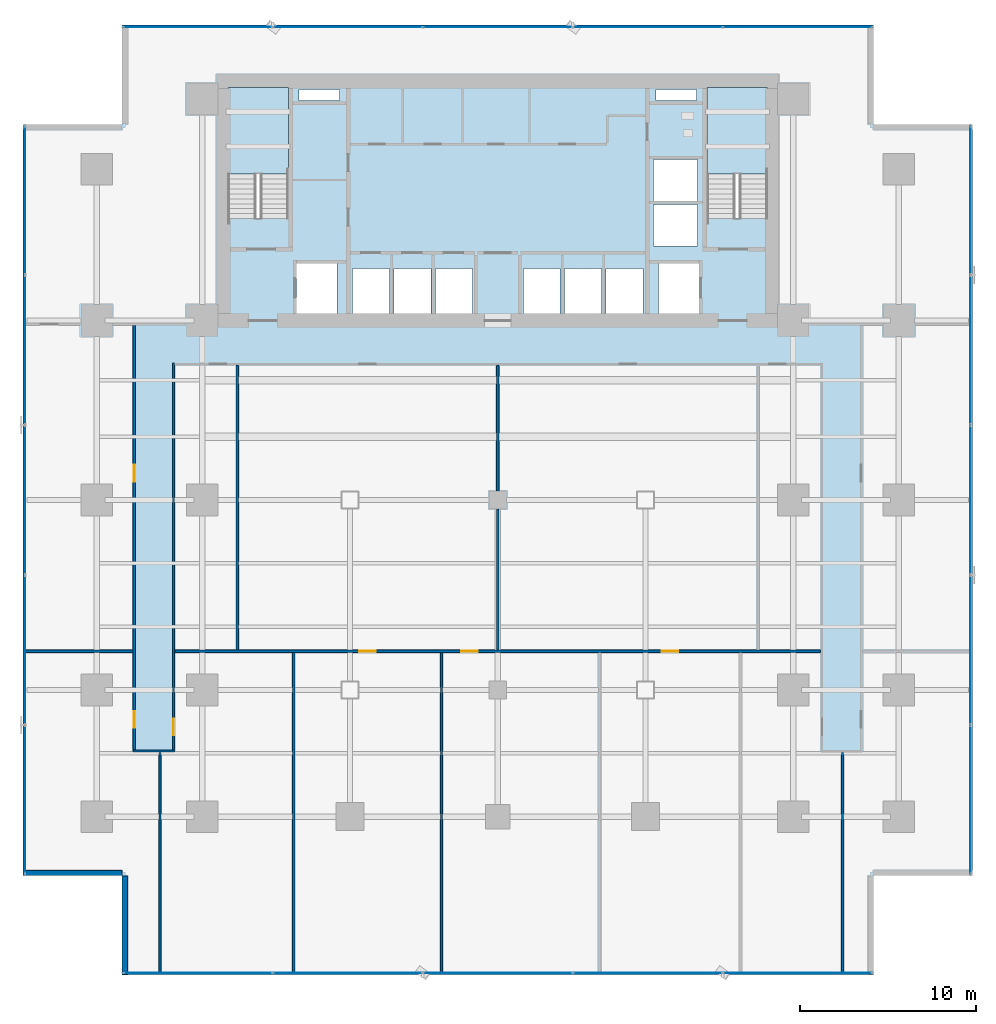
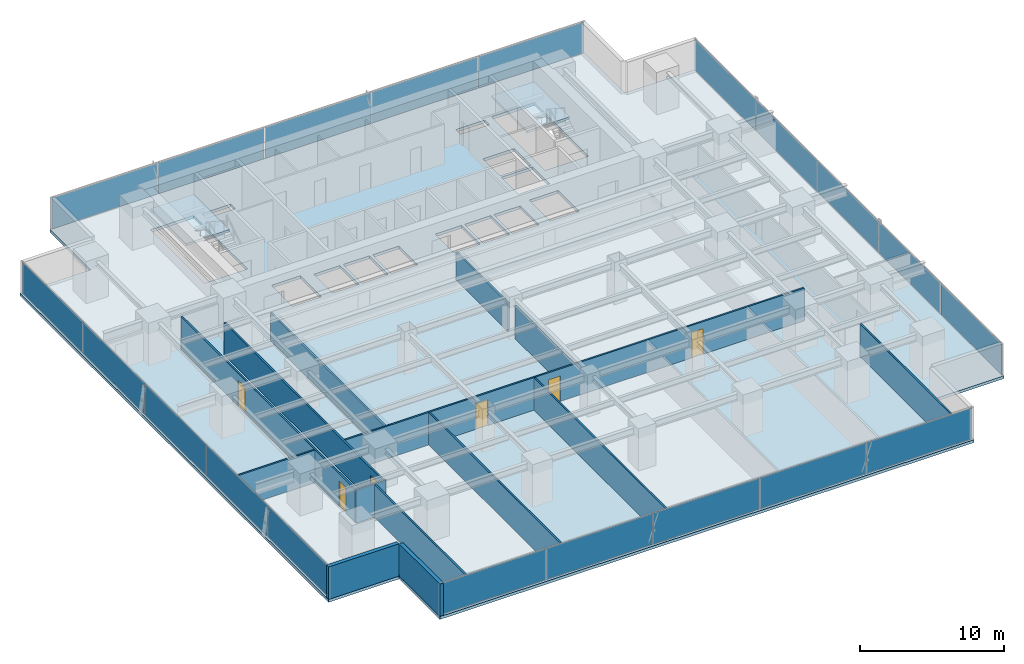
# One storey, part 24 of 34: 20 plates, 14 walls, 6 doors, 3 slabs, 6 openings, 6 elements without a shape of their own.
"""IFC4 building model written with IfcOpenShell, lengths in metres."""

from ifc_helpers import new_model, si_unit, direction, frame, frame_2d, origin, origin_2d, place, context, subcontext, project, spatial, polyline, rectangle, outline, extrude, source, transform, mapped, material, layer, layer_set, type_object, element, fill, aggregate, save


model = new_model("IFC4")

# Units and contexts
model_context = context("Model", 3, precision=1e-05, world=origin(), true_north=direction((0.0, 1.0)))
body_context = subcontext(model_context, "Body", "Model", "MODEL_VIEW")
ifc_project = project(units=[si_unit("LENGTHUNIT", "METRE"), si_unit("AREAUNIT", "SQUARE_METRE"), si_unit("VOLUMEUNIT", "CUBIC_METRE"), si_unit("PLANEANGLEUNIT", "RADIAN"), si_unit("MASSUNIT", "GRAM", prefix="KILO")], contexts=[model_context])

# Site, building, storey
site_placement = place(None, origin())
site = spatial("IfcSite", under=ifc_project, at=site_placement, CompositionType="ELEMENT")
building_placement = place(site_placement, origin())
building = spatial("IfcBuilding", under=site, at=building_placement, Name="Sumidabori Civic Tower", CompositionType="ELEMENT")
storey_placement = place(building_placement, frame((0.0, 0.0, 41.60009765625)))
storey = spatial("IfcBuildingStorey", under=building, at=storey_placement, Name="L10", CompositionType="ELEMENT", Elevation=41.60009765625)

# Stair, slab
ifc_material_1 = material(Name="Concrete C40/50", Category="concrete")
stair_type = type_object("IfcStairType", Name="ST-CORE-1600", PredefinedType="HALF_TURN_STAIR", material=ifc_material_1)
stair_1_placement = place(storey_placement, origin())
stair_1 = element("IfcStair", 1, at=stair_1_placement, inside=storey, type_object=stair_type, Name="L10 ST-1", PredefinedType="HALF_TURN_STAIR")
ifc_layer_1 = layer(ifc_material_1, 0.199951171875, Name="Concrete C40/50")
ifc_layer_set_1 = layer_set([ifc_layer_1], Name="Concrete C40/50")
slab_type_1 = type_object("IfcSlabType", Name="SL-LAND-200", PredefinedType="LANDING", material=ifc_layer_set_1)
slab_1_placement = place(storey_placement, frame((0.0, 0.0, 1.599853515625)))
slab_1 = element("IfcSlab", 2, at=slab_1_placement, type_object=slab_type_1, Name="ST-1 landing 1", PredefinedType="LANDING", context=body_context, shape_type="SweptSolid", body=[
    extrude(outline(polyline([(-11.89990234375, 18.52001953125), (-11.89990234375, 23.449951171875), (-15.340087890625, 23.449951171875), (-15.340087890625, 18.52001953125), (-11.89990234375, 18.52001953125)])), origin(), (0.0, 0.0, 1.0), 0.199951171875),
])
aggregate(stair_1, [slab_1])

stair_2_placement = place(storey_placement, origin())
stair_2 = element("IfcStair", 3, at=stair_2_placement, inside=storey, type_object=stair_type, Name="L10 ST-2", PredefinedType="HALF_TURN_STAIR")
slab_2_placement = place(storey_placement, frame((0.0, 0.0, 1.599853515625)))
slab_2 = element("IfcSlab", 4, at=slab_2_placement, type_object=slab_type_1, Name="ST-2 landing 1", PredefinedType="LANDING", context=body_context, shape_type="SweptSolid", body=[
    extrude(outline(polyline([(15.340087890625, 18.52001953125), (15.340087890625, 23.449951171875), (11.89990234375, 23.449951171875), (11.89990234375, 18.52001953125), (15.340087890625, 18.52001953125)])), origin(), (0.0, 0.0, 1.0), 0.199951171875),
])
aggregate(stair_2, [slab_2])

# Slab
ifc_layer_2 = layer(ifc_material_1, 0.239990234375, Name="Concrete C40/50")
ifc_layer_set_2 = layer_set([ifc_layer_2], Name="Concrete C40/50")
slab_type_2 = type_object("IfcSlabType", Name="SL-Z1-240", PredefinedType="FLOOR", material=ifc_layer_set_2)
slab_3_placement = place(storey_placement, frame((0.0, 0.0, -0.239990234375)))
element("IfcSlab", 5, at=slab_3_placement, inside=storey, type_object=slab_type_2, Name="Structural Slab L10", PredefinedType="FLOOR", context=body_context, shape_type="SweptSolid", body=[
    extrude(outline(polyline([(-21.35009765625, -27.0), (21.35009765625, -27.0), (21.35009765625, -21.35009765625), (27.0, -21.35009765625), (27.0, 21.35009765625), (21.35009765625, 21.35009765625), (21.35009765625, 27.0), (-21.35009765625, 27.0), (-21.35009765625, 21.35009765625), (-27.0, 21.35009765625), (-27.0, -21.35009765625), (-21.35009765625, -21.35009765625), (-21.35009765625, -27.0)]), holes=[polyline([(-11.89990234375, 16.0), (-11.89990234375, 23.449951171875), (-15.340087890625, 23.449951171875), (-15.340087890625, 16.0), (-11.89990234375, 16.0)]), polyline([(15.340087890625, 16.0), (15.340087890625, 23.449951171875), (11.89990234375, 23.449951171875), (11.89990234375, 16.0), (15.340087890625, 16.0)]), polyline([(-11.449951171875, 10.550048828125), (-9.14990234375, 10.550048828125), (-9.14990234375, 13.449951171875), (-11.449951171875, 13.449951171875), (-11.449951171875, 10.550048828125)]), polyline([(9.14990234375, 10.550048828125), (11.449951171875, 10.550048828125), (11.449951171875, 13.449951171875), (9.14990234375, 13.449951171875), (9.14990234375, 10.550048828125)]), polyline([(-8.25, 10.550048828125), (-6.14990234375, 10.550048828125), (-6.14990234375, 13.14990234375), (-8.25, 13.14990234375), (-8.25, 10.550048828125)]), polyline([(-5.89990234375, 10.550048828125), (-3.800048828125, 10.550048828125), (-3.800048828125, 13.14990234375), (-5.89990234375, 13.14990234375), (-5.89990234375, 10.550048828125)]), polyline([(-3.550048828125, 10.550048828125), (-1.449951171875, 10.550048828125), (-1.449951171875, 13.14990234375), (-3.550048828125, 13.14990234375), (-3.550048828125, 10.550048828125)]), polyline([(1.449951171875, 10.550048828125), (3.550048828125, 10.550048828125), (3.550048828125, 13.14990234375), (1.449951171875, 13.14990234375), (1.449951171875, 10.550048828125)]), polyline([(3.800048828125, 10.550048828125), (5.89990234375, 10.550048828125), (5.89990234375, 13.14990234375), (3.800048828125, 13.14990234375), (3.800048828125, 10.550048828125)]), polyline([(6.14990234375, 10.550048828125), (8.25, 10.550048828125), (8.25, 13.14990234375), (6.14990234375, 13.14990234375), (6.14990234375, 10.550048828125)]), polyline([(8.85009765625, 14.449951171875), (11.35009765625, 14.449951171875), (11.35009765625, 16.800048828125), (8.85009765625, 16.800048828125), (8.85009765625, 14.449951171875)]), polyline([(8.85009765625, 17.0), (11.35009765625, 17.0), (11.35009765625, 19.35009765625), (8.85009765625, 19.35009765625), (8.85009765625, 17.0)]), polyline([(-11.300048828125, 22.719970703125), (-9.0, 22.719970703125), (-9.0, 23.35009765625), (-11.300048828125, 23.35009765625), (-11.300048828125, 22.719970703125)]), polyline([(9.0, 22.719970703125), (11.300048828125, 22.719970703125), (11.300048828125, 23.35009765625), (9.0, 23.35009765625), (9.0, 22.719970703125)])]), origin(), (0.0, 0.0, 1.0), 0.239990234375),
])

# Curtain wall, plates
ifc_material_2 = material(Name="Anodised Bronze Aluminium AW-6063-T6", Category="aluminium")
ifc_layer_3 = layer(ifc_material_2, 0.179931640625, Name="Anodised Bronze Aluminium AW-6063-T6")
ifc_layer_set_3 = layer_set([ifc_layer_3], Name="Anodised Bronze Aluminium AW-6063-T6")
curtain_wall_type = type_object("IfcCurtainWallType", Name="CW-SYS-2", PredefinedType="NOTDEFINED", material=ifc_layer_set_3)
curtain_wall_1_placement = place(storey_placement, origin())
curtain_wall_1 = element("IfcCurtainWall", 6, at=curtain_wall_1_placement, inside=storey, type_object=curtain_wall_type, Name="Curtain Wall CW:L10:R01", PredefinedType="NOTDEFINED")
ifc_material_3 = material(Name="Low-E Solar-Control Vision Glazing", Category="glass")
ifc_layer_4 = layer(ifc_material_3, 0.028076171875, Name="Low-E Solar-Control Vision Glazing")
ifc_layer_set_4 = layer_set([ifc_layer_4], Name="Low-E Solar-Control Vision Glazing")
plate_type = type_object("IfcPlateType", Name="CW-PNL-28", PredefinedType="CURTAIN_PANEL", material=ifc_layer_set_4)
shared_shape_1 = source(origin(), body_context, "Body", "SweptSolid", [
    extrude(rectangle(XDim=8.423095703125, YDim=0.028076171875, at=origin_2d()), origin(), (0.0, 0.0, 1.0), 2.610107421875),
])
plate_1_placement = place(storey_placement, frame((-17.03857421875, -26.8798828125, 0.06494140625), z_axis=(0.0, 0.0, 1.0), x_axis=(1.0, 0.0, 0.0)))
plate_1 = element("IfcPlate", 7, at=plate_1_placement, type_object=plate_type, Name="CW-2 panel 1.1", PredefinedType="CURTAIN_PANEL", context=body_context, shape_type="MappedRepresentation", body=[
    mapped(shared_shape_1, transform((0.0, 0.0, 0.0), x_axis=(1.0, 0.0, 0.0), y_axis=(0.0, 1.0, 0.0), z_axis=(0.0, 0.0, 1.0), scale=1.0)),
])
plate_2_placement = place(storey_placement, frame((17.03857421875, -26.8798828125, 0.06494140625), z_axis=(0.0, 0.0, 1.0), x_axis=(1.0, 0.0, 0.0)))
plate_2 = element("IfcPlate", 8, at=plate_2_placement, type_object=plate_type, Name="CW-2 panel 5.1", PredefinedType="CURTAIN_PANEL", context=body_context, shape_type="MappedRepresentation", body=[
    mapped(shared_shape_1, transform((0.0, 0.0, 0.0), x_axis=(1.0, 0.0, 0.0), y_axis=(0.0, 1.0, 0.0), z_axis=(0.0, 0.0, 1.0), scale=1.0)),
])

curtain_wall_2_placement = place(storey_placement, origin())
curtain_wall_2 = element("IfcCurtainWall", 9, at=curtain_wall_2_placement, inside=storey, type_object=curtain_wall_type, Name="Curtain Wall CW:L10:R04", PredefinedType="NOTDEFINED")
plate_3_placement = place(storey_placement, frame((26.8798828125, -17.03857421875, 0.06494140625), z_axis=(0.0, 0.0, 1.0), x_axis=(0.0, 1.0, 0.0)))
plate_3 = element("IfcPlate", 10, at=plate_3_placement, type_object=plate_type, Name="CW-2 panel 1.1", PredefinedType="CURTAIN_PANEL", context=body_context, shape_type="MappedRepresentation", body=[
    mapped(shared_shape_1, transform((0.0, 0.0, 0.0), x_axis=(1.0, 0.0, 0.0), y_axis=(0.0, 1.0, 0.0), z_axis=(0.0, 0.0, 1.0), scale=1.0)),
])
plate_4_placement = place(storey_placement, frame((26.8798828125, 17.03857421875, 0.06494140625), z_axis=(0.0, 0.0, 1.0), x_axis=(0.0, 1.0, 0.0)))
plate_4 = element("IfcPlate", 11, at=plate_4_placement, type_object=plate_type, Name="CW-2 panel 5.1", PredefinedType="CURTAIN_PANEL", context=body_context, shape_type="MappedRepresentation", body=[
    mapped(shared_shape_1, transform((0.0, 0.0, 0.0), x_axis=(1.0, 0.0, 0.0), y_axis=(0.0, 1.0, 0.0), z_axis=(0.0, 0.0, 1.0), scale=1.0)),
])

curtain_wall_3_placement = place(storey_placement, origin())
curtain_wall_3 = element("IfcCurtainWall", 12, at=curtain_wall_3_placement, inside=storey, type_object=curtain_wall_type, Name="Curtain Wall CW:L10:R07", PredefinedType="NOTDEFINED")
plate_5_placement = place(storey_placement, frame((17.03857421875, 26.8798828125, 0.06494140625), z_axis=(0.0, 0.0, 1.0), x_axis=(-1.0, 0.0, 0.0)))
plate_5 = element("IfcPlate", 13, at=plate_5_placement, type_object=plate_type, Name="CW-2 panel 1.1", PredefinedType="CURTAIN_PANEL", context=body_context, shape_type="MappedRepresentation", body=[
    mapped(shared_shape_1, transform((0.0, 0.0, 0.0), x_axis=(1.0, 0.0, 0.0), y_axis=(0.0, 1.0, 0.0), z_axis=(0.0, 0.0, 1.0), scale=1.0)),
])
plate_6_placement = place(storey_placement, frame((-17.03857421875, 26.8798828125, 0.06494140625), z_axis=(0.0, 0.0, 1.0), x_axis=(-1.0, 0.0, 0.0)))
plate_6 = element("IfcPlate", 14, at=plate_6_placement, type_object=plate_type, Name="CW-2 panel 5.1", PredefinedType="CURTAIN_PANEL", context=body_context, shape_type="MappedRepresentation", body=[
    mapped(shared_shape_1, transform((0.0, 0.0, 0.0), x_axis=(1.0, 0.0, 0.0), y_axis=(0.0, 1.0, 0.0), z_axis=(0.0, 0.0, 1.0), scale=1.0)),
])

curtain_wall_4_placement = place(storey_placement, origin())
curtain_wall_4 = element("IfcCurtainWall", 15, at=curtain_wall_4_placement, inside=storey, type_object=curtain_wall_type, Name="Curtain Wall CW:L10:R10", PredefinedType="NOTDEFINED")
plate_7_placement = place(storey_placement, frame((-26.8798828125, 17.03857421875, 0.06494140625), z_axis=(0.0, 0.0, 1.0), x_axis=(0.0, -1.0, 0.0)))
plate_7 = element("IfcPlate", 16, at=plate_7_placement, type_object=plate_type, Name="CW-2 panel 1.1", PredefinedType="CURTAIN_PANEL", context=body_context, shape_type="MappedRepresentation", body=[
    mapped(shared_shape_1, transform((0.0, 0.0, 0.0), x_axis=(1.0, 0.0, 0.0), y_axis=(0.0, 1.0, 0.0), z_axis=(0.0, 0.0, 1.0), scale=1.0)),
])
plate_8_placement = place(storey_placement, frame((-26.8798828125, -17.03857421875, 0.06494140625), z_axis=(0.0, 0.0, 1.0), x_axis=(0.0, -1.0, 0.0)))
plate_8 = element("IfcPlate", 17, at=plate_8_placement, type_object=plate_type, Name="CW-2 panel 5.1", PredefinedType="CURTAIN_PANEL", context=body_context, shape_type="MappedRepresentation", body=[
    mapped(shared_shape_1, transform((0.0, 0.0, 0.0), x_axis=(1.0, 0.0, 0.0), y_axis=(0.0, 1.0, 0.0), z_axis=(0.0, 0.0, 1.0), scale=1.0)),
])

# Plate
shared_shape_2 = source(origin(), body_context, "Body", "SweptSolid", [
    extrude(rectangle(XDim=8.4580078125, YDim=0.028076171875, at=origin_2d()), origin(), (0.0, 0.0, 1.0), 2.610107421875),
])
plate_9_placement = place(storey_placement, frame((-8.528076171875, -26.8798828125, 0.06494140625), z_axis=(0.0, 0.0, 1.0), x_axis=(1.0, 0.0, 0.0)))
plate_9 = element("IfcPlate", 18, at=plate_9_placement, type_object=plate_type, Name="CW-2 panel 2.1", PredefinedType="CURTAIN_PANEL", context=body_context, shape_type="MappedRepresentation", body=[
    mapped(shared_shape_2, transform((0.0, 0.0, 0.0), x_axis=(1.0, 0.0, 0.0), y_axis=(0.0, 1.0, 0.0), z_axis=(0.0, 0.0, 1.0), scale=1.0)),
])

plate_10_placement = place(storey_placement, frame((0.0, -26.8798828125, 0.06494140625), z_axis=(0.0, 0.0, 1.0), x_axis=(1.0, 0.0, 0.0)))
plate_10 = element("IfcPlate", 19, at=plate_10_placement, type_object=plate_type, Name="CW-2 panel 3.1", PredefinedType="CURTAIN_PANEL", context=body_context, shape_type="MappedRepresentation", body=[
    mapped(shared_shape_2, transform((0.0, 0.0, 0.0), x_axis=(1.0, 0.0, 0.0), y_axis=(0.0, 1.0, 0.0), z_axis=(0.0, 0.0, 1.0), scale=1.0)),
])

plate_11_placement = place(storey_placement, frame((8.528076171875, -26.8798828125, 0.06494140625), z_axis=(0.0, 0.0, 1.0), x_axis=(1.0, 0.0, 0.0)))
plate_11 = element("IfcPlate", 20, at=plate_11_placement, type_object=plate_type, Name="CW-2 panel 4.1", PredefinedType="CURTAIN_PANEL", context=body_context, shape_type="MappedRepresentation", body=[
    mapped(shared_shape_2, transform((0.0, 0.0, 0.0), x_axis=(1.0, 0.0, 0.0), y_axis=(0.0, 1.0, 0.0), z_axis=(0.0, 0.0, 1.0), scale=1.0)),
])

aggregate(curtain_wall_1, [plate_1, plate_9, plate_10, plate_11, plate_2])

plate_12_placement = place(storey_placement, frame((26.8798828125, -8.528076171875, 0.06494140625), z_axis=(0.0, 0.0, 1.0), x_axis=(0.0, 1.0, 0.0)))
plate_12 = element("IfcPlate", 21, at=plate_12_placement, type_object=plate_type, Name="CW-2 panel 2.1", PredefinedType="CURTAIN_PANEL", context=body_context, shape_type="MappedRepresentation", body=[
    mapped(shared_shape_2, transform((0.0, 0.0, 0.0), x_axis=(1.0, 0.0, 0.0), y_axis=(0.0, 1.0, 0.0), z_axis=(0.0, 0.0, 1.0), scale=1.0)),
])

plate_13_placement = place(storey_placement, frame((26.8798828125, 0.0, 0.06494140625), z_axis=(0.0, 0.0, 1.0), x_axis=(0.0, 1.0, 0.0)))
plate_13 = element("IfcPlate", 22, at=plate_13_placement, type_object=plate_type, Name="CW-2 panel 3.1", PredefinedType="CURTAIN_PANEL", context=body_context, shape_type="MappedRepresentation", body=[
    mapped(shared_shape_2, transform((0.0, 0.0, 0.0), x_axis=(1.0, 0.0, 0.0), y_axis=(0.0, 1.0, 0.0), z_axis=(0.0, 0.0, 1.0), scale=1.0)),
])

plate_14_placement = place(storey_placement, frame((26.8798828125, 8.528076171875, 0.06494140625), z_axis=(0.0, 0.0, 1.0), x_axis=(0.0, 1.0, 0.0)))
plate_14 = element("IfcPlate", 23, at=plate_14_placement, type_object=plate_type, Name="CW-2 panel 4.1", PredefinedType="CURTAIN_PANEL", context=body_context, shape_type="MappedRepresentation", body=[
    mapped(shared_shape_2, transform((0.0, 0.0, 0.0), x_axis=(1.0, 0.0, 0.0), y_axis=(0.0, 1.0, 0.0), z_axis=(0.0, 0.0, 1.0), scale=1.0)),
])

aggregate(curtain_wall_2, [plate_3, plate_12, plate_13, plate_14, plate_4])

plate_15_placement = place(storey_placement, frame((8.528076171875, 26.8798828125, 0.06494140625), z_axis=(0.0, 0.0, 1.0), x_axis=(-1.0, 0.0, 0.0)))
plate_15 = element("IfcPlate", 24, at=plate_15_placement, type_object=plate_type, Name="CW-2 panel 2.1", PredefinedType="CURTAIN_PANEL", context=body_context, shape_type="MappedRepresentation", body=[
    mapped(shared_shape_2, transform((0.0, 0.0, 0.0), x_axis=(1.0, 0.0, 0.0), y_axis=(0.0, 1.0, 0.0), z_axis=(0.0, 0.0, 1.0), scale=1.0)),
])

plate_16_placement = place(storey_placement, frame((0.0, 26.8798828125, 0.06494140625), z_axis=(0.0, 0.0, 1.0), x_axis=(-1.0, 0.0, 0.0)))
plate_16 = element("IfcPlate", 25, at=plate_16_placement, type_object=plate_type, Name="CW-2 panel 3.1", PredefinedType="CURTAIN_PANEL", context=body_context, shape_type="MappedRepresentation", body=[
    mapped(shared_shape_2, transform((0.0, 0.0, 0.0), x_axis=(1.0, 0.0, 0.0), y_axis=(0.0, 1.0, 0.0), z_axis=(0.0, 0.0, 1.0), scale=1.0)),
])

plate_17_placement = place(storey_placement, frame((-8.528076171875, 26.8798828125, 0.06494140625), z_axis=(0.0, 0.0, 1.0), x_axis=(-1.0, 0.0, 0.0)))
plate_17 = element("IfcPlate", 26, at=plate_17_placement, type_object=plate_type, Name="CW-2 panel 4.1", PredefinedType="CURTAIN_PANEL", context=body_context, shape_type="MappedRepresentation", body=[
    mapped(shared_shape_2, transform((0.0, 0.0, 0.0), x_axis=(1.0, 0.0, 0.0), y_axis=(0.0, 1.0, 0.0), z_axis=(0.0, 0.0, 1.0), scale=1.0)),
])

aggregate(curtain_wall_3, [plate_5, plate_15, plate_16, plate_17, plate_6])

plate_18_placement = place(storey_placement, frame((-26.8798828125, 8.528076171875, 0.06494140625), z_axis=(0.0, 0.0, 1.0), x_axis=(0.0, -1.0, 0.0)))
plate_18 = element("IfcPlate", 27, at=plate_18_placement, type_object=plate_type, Name="CW-2 panel 2.1", PredefinedType="CURTAIN_PANEL", context=body_context, shape_type="MappedRepresentation", body=[
    mapped(shared_shape_2, transform((0.0, 0.0, 0.0), x_axis=(1.0, 0.0, 0.0), y_axis=(0.0, 1.0, 0.0), z_axis=(0.0, 0.0, 1.0), scale=1.0)),
])

plate_19_placement = place(storey_placement, frame((-26.8798828125, 0.0, 0.06494140625), z_axis=(0.0, 0.0, 1.0), x_axis=(0.0, -1.0, 0.0)))
plate_19 = element("IfcPlate", 28, at=plate_19_placement, type_object=plate_type, Name="CW-2 panel 3.1", PredefinedType="CURTAIN_PANEL", context=body_context, shape_type="MappedRepresentation", body=[
    mapped(shared_shape_2, transform((0.0, 0.0, 0.0), x_axis=(1.0, 0.0, 0.0), y_axis=(0.0, 1.0, 0.0), z_axis=(0.0, 0.0, 1.0), scale=1.0)),
])

plate_20_placement = place(storey_placement, frame((-26.8798828125, -8.528076171875, 0.06494140625), z_axis=(0.0, 0.0, 1.0), x_axis=(0.0, -1.0, 0.0)))
plate_20 = element("IfcPlate", 29, at=plate_20_placement, type_object=plate_type, Name="CW-2 panel 4.1", PredefinedType="CURTAIN_PANEL", context=body_context, shape_type="MappedRepresentation", body=[
    mapped(shared_shape_2, transform((0.0, 0.0, 0.0), x_axis=(1.0, 0.0, 0.0), y_axis=(0.0, 1.0, 0.0), z_axis=(0.0, 0.0, 1.0), scale=1.0)),
])

aggregate(curtain_wall_4, [plate_7, plate_18, plate_19, plate_20, plate_8])

# Walls
ifc_material_4 = material(Name="Precast concrete C40/50", Category="concrete")
ifc_layer_5 = layer(ifc_material_4, 0.300048828125, Name="Precast concrete C40/50")
ifc_layer_set_5 = layer_set([ifc_layer_5], Name="Precast concrete C40/50")
wall_type_1 = type_object("IfcWallType", Name="WL-EXT-POD300", PredefinedType="STANDARD", material=ifc_layer_set_5)
shared_shape_3 = source(origin(), body_context, "Body", "SweptSolid", [
    extrude(rectangle(XDim=5.60986328125, YDim=0.300048828125, at=frame_2d((2.804931640625, 0.0))), origin(), (0.0, 0.0, 1.0), 2.739990234375),
])
for number, where, z_axis, x_axis, name in (
    (30, (-26.97998046875, -21.199951171875, 0.0), (0.0, 0.0, 1.0), (1.0, 0.0, 0.0), "Notched Corner Spandrel Band L10-11"),
    (31, (-21.199951171875, -21.3701171875, 0.0), (0.0, 0.0, 1.0), (0.0, -1.0, 0.0), "Notched Corner Spandrel Band L10-12"),
):
    element("IfcWall", number, at=place(storey_placement, frame(where, z_axis=z_axis, x_axis=x_axis)), inside=storey, type_object=wall_type_1, Name=name, PredefinedType="STANDARD", context=body_context, shape_type="MappedRepresentation", body=[
        mapped(shared_shape_3, transform((0.0, 0.0, 0.0), x_axis=(1.0, 0.0, 0.0), y_axis=(0.0, 1.0, 0.0), z_axis=(0.0, 0.0, 1.0), scale=1.0)),
    ])
ifc_material_5 = material(Name="Gypsum Plasterboard Acoustic Partition")
ifc_layer_6 = layer(ifc_material_5, 0.135009765625, Name="Gypsum Plasterboard Acoustic Partition")
ifc_layer_set_6 = layer_set([ifc_layer_6], Name="Gypsum Plasterboard Acoustic Partition")
wall_type_2 = type_object("IfcWallType", Name="WL-PART-135", PredefinedType="PARTITIONING", material=ifc_layer_set_6)
shared_shape_4 = source(origin(), body_context, "Body", "SweptSolid", [
    extrude(rectangle(XDim=2.3701171875, YDim=0.135009765625, at=frame_2d((1.18505859375, 0.0))), origin(), (0.0, 0.0, 1.0), 2.844970703125),
])
wall_1_placement = place(storey_placement, frame((-20.735107421875, -14.267578125, 0.0), z_axis=(0.0, 0.0, 1.0), x_axis=(1.0, 0.0, 0.0)))
element("IfcWall", 32, at=wall_1_placement, inside=storey, type_object=wall_type_2, Name="Interior Partition WL:L10:CORR-CAP-W", PredefinedType="PARTITIONING", context=body_context, shape_type="MappedRepresentation", body=[
    mapped(shared_shape_4, transform((0.0, 0.0, 0.0), x_axis=(1.0, 0.0, 0.0), y_axis=(0.0, 1.0, 0.0), z_axis=(0.0, 0.0, 1.0), scale=1.0)),
])

# Wall, openings, doors
shared_shape_5 = source(origin(), body_context, "Body", "SweptSolid", [
    extrude(rectangle(XDim=24.12255859375, YDim=0.135009765625, at=frame_2d((12.061279296875, 0.0))), origin(), (0.0, 0.0, 1.0), 2.744873046875),
])
wall_2_placement = place(storey_placement, frame((-20.66748046875, -14.195068359375, 0.0), z_axis=(0.0, 0.0, 1.0), x_axis=(0.0, 1.0, 0.0)))
wall_2 = element("IfcWall", 33, at=wall_2_placement, inside=storey, type_object=wall_type_2, Name="Interior Partition WL:L10:CORR-VW-OUT", PredefinedType="PARTITIONING", context=body_context, shape_type="MappedRepresentation", body=[
    mapped(shared_shape_5, transform((0.0, 0.0, 0.0), x_axis=(1.0, 0.0, 0.0), y_axis=(0.0, 1.0, 0.0), z_axis=(0.0, 0.0, 1.0), scale=1.0)),
])
opening_1_placement = place(wall_2_placement, frame((15.237548828125, 0.0, 0.0)))
opening_1 = element("IfcOpeningElement", 34, at=opening_1_placement, cuts=wall_2, Name="Opening DR-2", PredefinedType="OPENING", context=body_context, shape_type="SweptSolid", body=[
    extrude(rectangle(XDim=0.949951171875, YDim=2.14990234375, at=frame_2d((0.47509765625, 1.074951171875))), frame((0.0, 0.07958984375, 0.0), z_axis=(0.0, -1.0, 0.0), x_axis=(1.0, 0.0, 0.0)), (0.0, 0.0, 1.0), 0.158935546875),
])
opening_2_placement = place(wall_2_placement, frame((1.248779296875, 0.0, 0.0)))
opening_2 = element("IfcOpeningElement", 35, at=opening_2_placement, cuts=wall_2, Name="Opening DR-2", PredefinedType="OPENING", context=body_context, shape_type="SweptSolid", body=[
    extrude(rectangle(XDim=0.949951171875, YDim=2.14990234375, at=frame_2d((0.47509765625, 1.074951171875))), frame((0.0, 0.07958984375, 0.0), z_axis=(0.0, -1.0, 0.0), x_axis=(1.0, 0.0, 0.0)), (0.0, 0.0, 1.0), 0.158935546875),
])
ifc_material_6 = material(Name="Japanese Hinoki Timber", Category="wood")
door_type = type_object("IfcDoorType", Name="DR-INT-950", OperationType="NOTDEFINED", PredefinedType="DOOR", material=ifc_material_6)
shared_shape_6 = source(origin(), body_context, "Body", "SweptSolid", [
    extrude(rectangle(XDim=0.949951171875, YDim=2.14990234375, at=frame_2d((0.47509765625, 1.074951171875))), frame((0.0, 0.02490234375, 0.0), z_axis=(0.0, -1.0, 0.0), x_axis=(1.0, 0.0, 0.0)), (0.0, 0.0, 1.0), 0.050048828125),
])
door_1_placement = place(opening_1_placement, origin())
door_1 = element("IfcDoor", 36, at=door_1_placement, inside=storey, type_object=door_type, Name="Door DR:L10:D01", OperationType="SINGLE_SWING_LEFT", OverallHeight=2.14990234375, OverallWidth=0.949951171875, PredefinedType="DOOR", context=body_context, shape_type="MappedRepresentation", body=[
    mapped(shared_shape_6, transform((0.0, 0.0, 0.0), x_axis=(1.0, 0.0, 0.0), y_axis=(0.0, 1.0, 0.0), z_axis=(0.0, 0.0, 1.0), scale=1.0)),
])
fill(opening_1, door_1)
door_2_placement = place(opening_2_placement, origin())
door_2 = element("IfcDoor", 37, at=door_2_placement, inside=storey, type_object=door_type, Name="Door DR:L10:D08", OperationType="SINGLE_SWING_RIGHT", OverallHeight=2.14990234375, OverallWidth=0.949951171875, PredefinedType="DOOR", context=body_context, shape_type="MappedRepresentation", body=[
    mapped(shared_shape_6, transform((0.0, 0.0, 0.0), x_axis=(1.0, 0.0, 0.0), y_axis=(0.0, 1.0, 0.0), z_axis=(0.0, 0.0, 1.0), scale=1.0)),
])
fill(opening_2, door_2)

# Wall, opening, door
shared_shape_7 = source(origin(), body_context, "Body", "SweptSolid", [
    extrude(rectangle(XDim=21.9951171875, YDim=0.135009765625, at=frame_2d((10.99755859375, 0.0))), origin(), (0.0, 0.0, 1.0), 2.744873046875),
])
wall_3_placement = place(storey_placement, frame((-18.4326171875, -14.195068359375, 0.0), z_axis=(0.0, 0.0, 1.0), x_axis=(0.0, 1.0, 0.0)))
wall_3 = element("IfcWall", 38, at=wall_3_placement, inside=storey, type_object=wall_type_2, Name="Interior Partition WL:L10:CORR-VW-IN", PredefinedType="PARTITIONING", context=body_context, shape_type="MappedRepresentation", body=[
    mapped(shared_shape_7, transform((0.0, 0.0, 0.0), x_axis=(1.0, 0.0, 0.0), y_axis=(0.0, 1.0, 0.0), z_axis=(0.0, 0.0, 1.0), scale=1.0)),
])
opening_3_placement = place(wall_3_placement, frame((0.80859375, 0.0, 0.0)))
opening_3 = element("IfcOpeningElement", 39, at=opening_3_placement, cuts=wall_3, Name="Opening DR-2", PredefinedType="OPENING", context=body_context, shape_type="SweptSolid", body=[
    extrude(rectangle(XDim=0.949951171875, YDim=2.14990234375, at=frame_2d((0.47509765625, 1.074951171875))), frame((0.0, 0.07958984375, 0.0), z_axis=(0.0, -1.0, 0.0), x_axis=(1.0, 0.0, 0.0)), (0.0, 0.0, 1.0), 0.158935546875),
])
door_3_placement = place(opening_3_placement, origin())
door_3 = element("IfcDoor", 40, at=door_3_placement, inside=storey, type_object=door_type, Name="Door DR:L10:D09", OperationType="SINGLE_SWING_LEFT", OverallHeight=2.14990234375, OverallWidth=0.949951171875, PredefinedType="DOOR", context=body_context, shape_type="MappedRepresentation", body=[
    mapped(shared_shape_6, transform((0.0, 0.0, 0.0), x_axis=(1.0, 0.0, 0.0), y_axis=(0.0, 1.0, 0.0), z_axis=(0.0, 0.0, 1.0), scale=1.0)),
])
fill(opening_3, door_3)

# Wall
shared_shape_8 = source(origin(), body_context, "Body", "SweptSolid", [
    extrude(rectangle(XDim=6.110107421875, YDim=0.135009765625, at=frame_2d((3.05517578125, 0.0))), origin(), (0.0, 0.0, 1.0), 2.744873046875),
])
wall_4_placement = place(storey_placement, frame((-26.85009765625, -8.60009765625, 0.0), z_axis=(0.0, 0.0, 1.0), x_axis=(1.0, 0.0, 0.0)))
element("IfcWall", 41, at=wall_4_placement, inside=storey, type_object=wall_type_2, Name="Interior Partition WL:L10:BAND-Y-1", PredefinedType="PARTITIONING", context=body_context, shape_type="MappedRepresentation", body=[
    mapped(shared_shape_8, transform((0.0, 0.0, 0.0), x_axis=(1.0, 0.0, 0.0), y_axis=(0.0, 1.0, 0.0), z_axis=(0.0, 0.0, 1.0), scale=1.0)),
])

# Wall, openings, doors
shared_shape_9 = source(origin(), body_context, "Body", "SweptSolid", [
    extrude(rectangle(XDim=36.72021484375, YDim=0.135009765625, at=frame_2d((18.360107421875, 0.0))), origin(), (0.0, 0.0, 1.0), 2.744873046875),
])
wall_5_placement = place(storey_placement, frame((-18.360107421875, -8.60009765625, 0.0), z_axis=(0.0, 0.0, 1.0), x_axis=(1.0, 0.0, 0.0)))
wall_5 = element("IfcWall", 42, at=wall_5_placement, inside=storey, type_object=wall_type_2, Name="Interior Partition WL:L10:BAND-Y-2", PredefinedType="PARTITIONING", context=body_context, shape_type="MappedRepresentation", body=[
    mapped(shared_shape_9, transform((0.0, 0.0, 0.0), x_axis=(1.0, 0.0, 0.0), y_axis=(0.0, 1.0, 0.0), z_axis=(0.0, 0.0, 1.0), scale=1.0)),
])
opening_4_placement = place(wall_5_placement, frame((10.485107421875, 0.0, 0.0)))
opening_4 = element("IfcOpeningElement", 43, at=opening_4_placement, cuts=wall_5, Name="Opening DR-2", PredefinedType="OPENING", context=body_context, shape_type="SweptSolid", body=[
    extrude(rectangle(XDim=0.949951171875, YDim=2.14990234375, at=frame_2d((0.47509765625, 1.074951171875))), frame((0.0, 0.07958984375, 0.0), z_axis=(0.0, -1.0, 0.0), x_axis=(1.0, 0.0, 0.0)), (0.0, 0.0, 1.0), 0.158935546875),
])
opening_5_placement = place(wall_5_placement, frame((16.284912109375, 0.0, 0.0)))
opening_5 = element("IfcOpeningElement", 44, at=opening_5_placement, cuts=wall_5, Name="Opening DR-2", PredefinedType="OPENING", context=body_context, shape_type="SweptSolid", body=[
    extrude(rectangle(XDim=0.949951171875, YDim=2.14990234375, at=frame_2d((0.47509765625, 1.074951171875))), frame((0.0, 0.07958984375, 0.0), z_axis=(0.0, -1.0, 0.0), x_axis=(1.0, 0.0, 0.0)), (0.0, 0.0, 1.0), 0.158935546875),
])
opening_6_placement = place(wall_5_placement, frame((27.68505859375, 0.0, 0.0)))
opening_6 = element("IfcOpeningElement", 45, at=opening_6_placement, cuts=wall_5, Name="Opening DR-2", PredefinedType="OPENING", context=body_context, shape_type="SweptSolid", body=[
    extrude(rectangle(XDim=0.949951171875, YDim=2.14990234375, at=frame_2d((0.47509765625, 1.074951171875))), frame((0.0, 0.07958984375, 0.0), z_axis=(0.0, -1.0, 0.0), x_axis=(1.0, 0.0, 0.0)), (0.0, 0.0, 1.0), 0.158935546875),
])
door_4_placement = place(opening_4_placement, origin())
door_4 = element("IfcDoor", 46, at=door_4_placement, inside=storey, type_object=door_type, Name="Door DR:L10:D12", OperationType="SINGLE_SWING_RIGHT", OverallHeight=2.14990234375, OverallWidth=0.949951171875, PredefinedType="DOOR", context=body_context, shape_type="MappedRepresentation", body=[
    mapped(shared_shape_6, transform((0.0, 0.0, 0.0), x_axis=(1.0, 0.0, 0.0), y_axis=(0.0, 1.0, 0.0), z_axis=(0.0, 0.0, 1.0), scale=1.0)),
])
fill(opening_4, door_4)
door_5_placement = place(opening_5_placement, origin())
door_5 = element("IfcDoor", 47, at=door_5_placement, inside=storey, type_object=door_type, Name="Door DR:L10:D13", OperationType="SINGLE_SWING_LEFT", OverallHeight=2.14990234375, OverallWidth=0.949951171875, PredefinedType="DOOR", context=body_context, shape_type="MappedRepresentation", body=[
    mapped(shared_shape_6, transform((0.0, 0.0, 0.0), x_axis=(1.0, 0.0, 0.0), y_axis=(0.0, 1.0, 0.0), z_axis=(0.0, 0.0, 1.0), scale=1.0)),
])
fill(opening_5, door_5)
door_6_placement = place(opening_6_placement, origin())
door_6 = element("IfcDoor", 48, at=door_6_placement, inside=storey, type_object=door_type, Name="Door DR:L10:D14", OperationType="SINGLE_SWING_RIGHT", OverallHeight=2.14990234375, OverallWidth=0.949951171875, PredefinedType="DOOR", context=body_context, shape_type="MappedRepresentation", body=[
    mapped(shared_shape_6, transform((0.0, 0.0, 0.0), x_axis=(1.0, 0.0, 0.0), y_axis=(0.0, 1.0, 0.0), z_axis=(0.0, 0.0, 1.0), scale=1.0)),
])
fill(opening_6, door_6)

# Walls
shared_shape_10 = source(origin(), body_context, "Body", "SweptSolid", [
    extrude(rectangle(XDim=16.1875, YDim=0.135009765625, at=frame_2d((8.09375, 0.0))), origin(), (0.0, 0.0, 1.0), 2.369873046875),
])
wall_6_placement = place(storey_placement, frame((-14.800048828125, -8.527587890625, 0.0), z_axis=(0.0, 0.0, 1.0), x_axis=(0.0, 1.0, 0.0)))
element("IfcWall", 49, at=wall_6_placement, inside=storey, type_object=wall_type_2, Name="Interior Partition WL:L10:VX-N1", PredefinedType="PARTITIONING", context=body_context, shape_type="MappedRepresentation", body=[
    mapped(shared_shape_10, transform((0.0, 0.0, 0.0), x_axis=(1.0, 0.0, 0.0), y_axis=(0.0, 1.0, 0.0), z_axis=(0.0, 0.0, 1.0), scale=1.0)),
])
shared_shape_11 = source(origin(), body_context, "Body", "SweptSolid", [
    extrude(rectangle(XDim=8.017578125, YDim=0.135009765625, at=frame_2d((4.0087890625, 0.0))), origin(), (0.0, 0.0, 1.0), 2.744873046875),
])
wall_7_placement = place(storey_placement, frame((0.0, -8.527587890625, 0.0), z_axis=(0.0, 0.0, 1.0), x_axis=(0.0, 1.0, 0.0)))
element("IfcWall", 50, at=wall_7_placement, inside=storey, type_object=wall_type_2, Name="Interior Partition WL:L10:VX-N2-1", PredefinedType="PARTITIONING", context=body_context, shape_type="MappedRepresentation", body=[
    mapped(shared_shape_11, transform((0.0, 0.0, 0.0), x_axis=(1.0, 0.0, 0.0), y_axis=(0.0, 1.0, 0.0), z_axis=(0.0, 0.0, 1.0), scale=1.0)),
])
shared_shape_12 = source(origin(), body_context, "Body", "SweptSolid", [
    extrude(rectangle(XDim=7.14990234375, YDim=0.135009765625, at=frame_2d((3.574951171875, 0.0))), origin(), (0.0, 0.0, 1.0), 2.369873046875),
])
wall_8_placement = place(storey_placement, frame((0.0, 0.510009765625, 0.0), z_axis=(0.0, 0.0, 1.0), x_axis=(0.0, 1.0, 0.0)))
element("IfcWall", 51, at=wall_8_placement, inside=storey, type_object=wall_type_2, Name="Interior Partition WL:L10:VX-N2-2", PredefinedType="PARTITIONING", context=body_context, shape_type="MappedRepresentation", body=[
    mapped(shared_shape_12, transform((0.0, 0.0, 0.0), x_axis=(1.0, 0.0, 0.0), y_axis=(0.0, 1.0, 0.0), z_axis=(0.0, 0.0, 1.0), scale=1.0)),
])
shared_shape_13 = source(origin(), body_context, "Body", "SweptSolid", [
    extrude(rectangle(XDim=12.510009765625, YDim=0.135009765625, at=frame_2d((6.2548828125, 0.0))), origin(), (0.0, 0.0, 1.0), 2.744873046875),
])
for number, where, z_axis, x_axis, name in (
    (52, (-19.199951171875, -26.85009765625, 0.0), (0.0, 0.0, 1.0), (0.0, 1.0, 0.0), "Interior Partition WL:L10:VX-S1"),
    (53, (19.60009765625, -26.85009765625, 0.0), (0.0, 0.0, 1.0), (0.0, 1.0, 0.0), "Interior Partition WL:L10:VX-S6"),
):
    element("IfcWall", number, at=place(storey_placement, frame(where, z_axis=z_axis, x_axis=x_axis)), inside=storey, type_object=wall_type_2, Name=name, PredefinedType="PARTITIONING", context=body_context, shape_type="MappedRepresentation", body=[
        mapped(shared_shape_13, transform((0.0, 0.0, 0.0), x_axis=(1.0, 0.0, 0.0), y_axis=(0.0, 1.0, 0.0), z_axis=(0.0, 0.0, 1.0), scale=1.0)),
    ])
shared_shape_14 = source(origin(), body_context, "Body", "SweptSolid", [
    extrude(rectangle(XDim=18.177490234375, YDim=0.135009765625, at=frame_2d((9.0888671875, 0.0))), origin(), (0.0, 0.0, 1.0), 2.744873046875),
])
for number, where, z_axis, x_axis, name in (
    (54, (-11.60009765625, -26.85009765625, 0.0), (0.0, 0.0, 1.0), (0.0, 1.0, 0.0), "Interior Partition WL:L10:VX-S2"),
    (55, (-3.199951171875, -26.85009765625, 0.0), (0.0, 0.0, 1.0), (0.0, 1.0, 0.0), "Interior Partition WL:L10:VX-S3"),
):
    element("IfcWall", number, at=place(storey_placement, frame(where, z_axis=z_axis, x_axis=x_axis)), inside=storey, type_object=wall_type_2, Name=name, PredefinedType="PARTITIONING", context=body_context, shape_type="MappedRepresentation", body=[
        mapped(shared_shape_14, transform((0.0, 0.0, 0.0), x_axis=(1.0, 0.0, 0.0), y_axis=(0.0, 1.0, 0.0), z_axis=(0.0, 0.0, 1.0), scale=1.0)),
    ])

save(model, "model.ifc")
